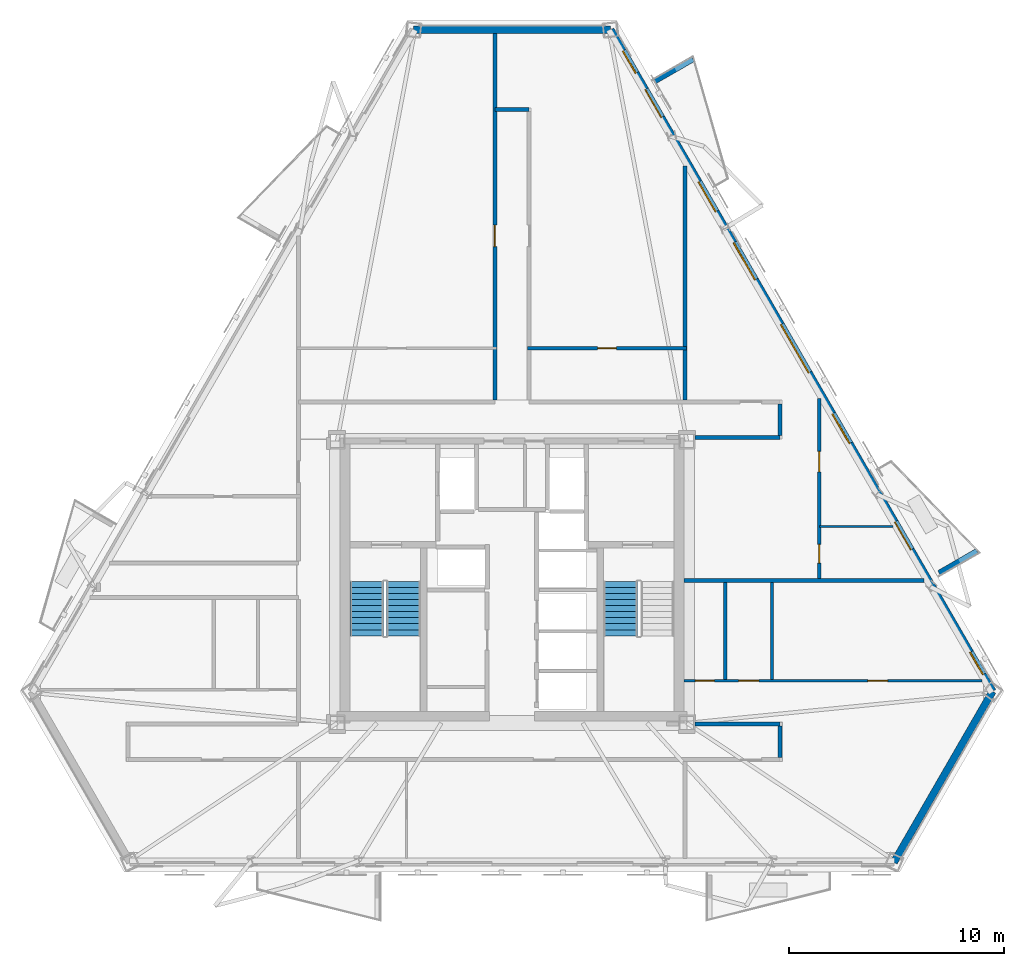
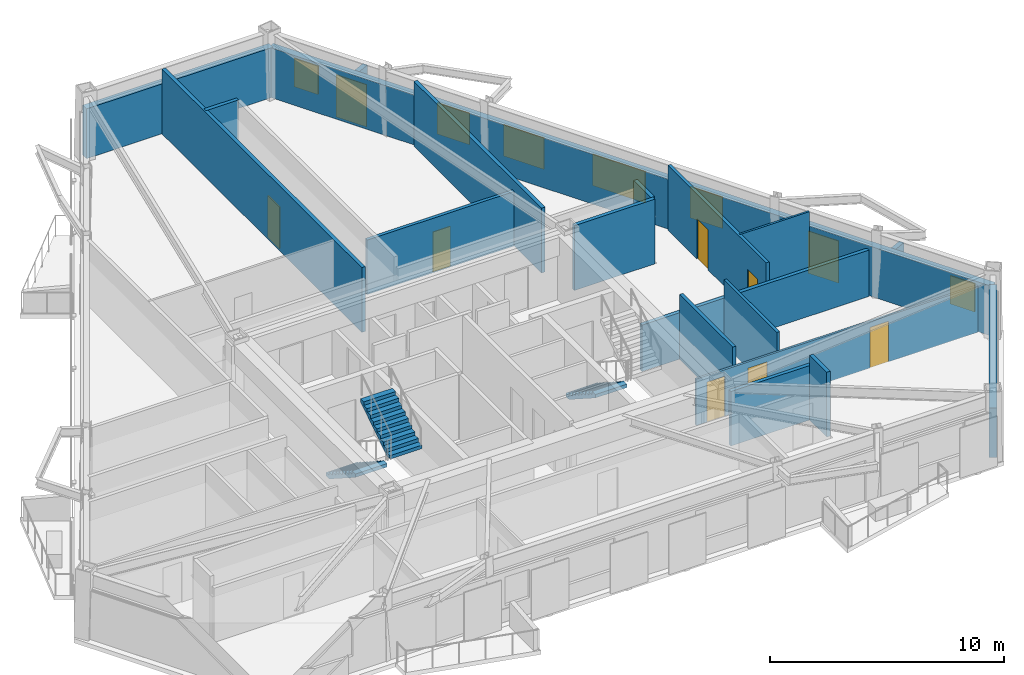
# One storey, part 5 of 9: 19 walls, 9 doors, 6 windows, 3 stair flights, 15 openings, 2 elements without a shape of their own.
"""IFC4 building model written with IfcOpenShell, lengths in metres."""

import ifcopenshell
import ifcopenshell.guid

model = None  # the IFC model being written
_history = None  # IfcOwnerHistory: only IFC2X3 demands one
_inside = {}  # id of a spatial element -> (the spatial element, [elements in it])
_under = {}  # id of a project, library or spatial element -> (it, [spatial elements below it])
_declared = {}  # id of a project -> (the project, [libraries it declares])
_typed = {}  # id of a type object -> (the type object, [elements of that type])
_made_of = {}  # id of a material, layer set ... -> (it, [elements and type objects made of it])


def new_model(schema):
    """Start an empty IFC model of exactly this schema.

    Asked for "IFC4X3", IfcOpenShell would pick the latest addendum, in which some entities
    have other attributes; the version numbers below select the first issue.
    IFC2X3 requires an IfcOwnerHistory on every rooted entity: one is made here for all.
    """
    global model, _history
    if schema == "IFC4X3":
        model = ifcopenshell.file(schema_version=(4, 3, 0, 0))
    else:
        model = ifcopenshell.file(schema=schema)
    _inside.clear()
    _under.clear()
    _declared.clear()
    _typed.clear()
    _made_of.clear()
    _history = None
    if model.schema == "IFC2X3":
        org = make("IfcOrganization", Name="unknown")
        user = make(
            "IfcPersonAndOrganization",
            ThePerson=make("IfcPerson", FamilyName="unknown"),
            TheOrganization=org,
        )
        app = make(
            "IfcApplication",
            ApplicationDeveloper=org,
            Version="unknown",
            ApplicationFullName="unknown",
            ApplicationIdentifier="unknown",
        )
        _history = make(
            "IfcOwnerHistory",
            OwningUser=user,
            OwningApplication=app,
            ChangeAction="ADDED",
            CreationDate=0,
        )
    return model


def make(cls, **values):
    """One entity of the class cls with the attributes given. An attribute that is None is left unset."""
    return model.create_entity(
        cls, **{name: value for name, value in values.items() if value is not None}
    )


def rooted(cls, **values):
    """An entity with a GlobalId (a new one), such as an element, a storey or a relation."""
    return make(cls, GlobalId=ifcopenshell.guid.new(), OwnerHistory=_history, **values)


def si_unit(unit_type, name, prefix=None):
    """IfcSIUnit, for example si_unit("LENGTHUNIT", "METRE", prefix="MILLI")."""
    return make("IfcSIUnit", UnitType=unit_type, Prefix=prefix, Name=name)


def assignment(units):
    """IfcUnitAssignment: the units of a project."""
    return None if units is None else make("IfcUnitAssignment", Units=units)


def point(xyz):
    """IfcCartesianPoint."""
    return None if xyz is None else make("IfcCartesianPoint", Coordinates=xyz)


def direction(xyz):
    """IfcDirection."""
    return None if xyz is None else make("IfcDirection", DirectionRatios=xyz)


def frame(location, z_axis=None, x_axis=None):
    """IfcAxis2Placement3D, a coordinate frame: its origin and axes. An axis left out is left unset."""
    return make(
        "IfcAxis2Placement3D",
        Location=point(location),
        Axis=direction(z_axis),
        RefDirection=direction(x_axis),
    )


def frame_2d(location, x_axis=None):
    """IfcAxis2Placement2D, a coordinate frame in the plane: its origin and x axis."""
    return make(
        "IfcAxis2Placement2D", Location=point(location), RefDirection=direction(x_axis)
    )


def origin():
    """The frame at (0, 0, 0) with its axes left unset."""
    return frame((0.0, 0.0, 0.0))


def place(relative_to, where):
    """IfcLocalPlacement: puts the frame where relative to a parent placement (None: the world)."""
    return make(
        "IfcLocalPlacement", PlacementRelTo=relative_to, RelativePlacement=where
    )


def context(
    kind, dimensions, precision=None, world=None, true_north=None, identifier=None
):
    """IfcGeometricRepresentationContext, for example the 3D "Model" context."""
    return make(
        "IfcGeometricRepresentationContext",
        ContextIdentifier=identifier,
        ContextType=kind,
        CoordinateSpaceDimension=dimensions,
        Precision=precision,
        WorldCoordinateSystem=world,
        TrueNorth=true_north,
    )


def subcontext(parent, identifier, kind, view, scale=None):
    """IfcGeometricRepresentationSubContext, for example "Body" below "Model"."""
    return make(
        "IfcGeometricRepresentationSubContext",
        ContextIdentifier=identifier,
        ContextType=kind,
        ParentContext=parent,
        TargetScale=scale,
        TargetView=view,
    )


def project(units=None, contexts=None):
    """IfcProject with its units and contexts."""
    return rooted(
        "IfcProject",
        Name="project",
        RepresentationContexts=contexts,
        UnitsInContext=assignment(units),
    )


def spatial(cls, under=None, at=None, **own):
    """A site, building, storey or space (cls), placed at a placement, below another one or the project."""
    s = rooted(cls, ObjectPlacement=at, **own)
    if under is not None:
        _under.setdefault(under.id(), (under, []))[1].append(s)
    return s


def polyline(points):
    """IfcPolyline through the points."""
    return make("IfcPolyline", Points=[point(p) for p in points])


def profile(cls, at=None, kind="AREA", **sizes):
    """A parametric profile (cls). Its sizes go by their IFC names, for example OverallWidth=200.0."""
    return make(cls, ProfileType=kind, Position=at, **sizes)


def rectangle(**sizes):
    """IfcRectangleProfileDef."""
    return profile("IfcRectangleProfileDef", **sizes)


def outline(outer, holes=None, kind="AREA"):
    """IfcArbitraryClosedProfileDef: a profile drawn as a closed curve; with holes, ...WithVoids."""
    if holes is None:
        return make("IfcArbitraryClosedProfileDef", ProfileType=kind, OuterCurve=outer)
    return make(
        "IfcArbitraryProfileDefWithVoids",
        ProfileType=kind,
        OuterCurve=outer,
        InnerCurves=holes,
    )


def extrude(swept, where, along, depth):
    """IfcExtrudedAreaSolid: the profile swept, set in the frame where, extruded along a direction by depth."""
    return make(
        "IfcExtrudedAreaSolid",
        SweptArea=swept,
        Position=where,
        ExtrudedDirection=direction(along),
        Depth=depth,
    )


def shape(context_of_items, identifier, shape_type, items):
    """IfcShapeRepresentation: the items that make up one representation, for example the "Body"."""
    return make(
        "IfcShapeRepresentation",
        ContextOfItems=context_of_items,
        RepresentationIdentifier=identifier,
        RepresentationType=shape_type,
        Items=items,
    )


def material(Name=None, Category=None):
    """IfcMaterial."""
    return make("IfcMaterial", Name=Name, Category=Category)


def layer(
    of_material, thickness, ventilated=None, Name=None, Category=None, Priority=None
):
    """IfcMaterialLayer: one layer of a wall or slab, of a material (None: an air gap)."""
    return make(
        "IfcMaterialLayer",
        Material=of_material,
        LayerThickness=thickness,
        IsVentilated=ventilated,
        Name=Name,
        Category=Category,
        Priority=Priority,
    )


def layer_set(layers, Name=None):
    """IfcMaterialLayerSet."""
    return make("IfcMaterialLayerSet", MaterialLayers=layers, LayerSetName=Name)


def made_of(thing, what):
    """Note that an element or type object is made of a material, layer set ...; save() writes the relation."""
    if what is not None:
        _made_of.setdefault(what.id(), (what, []))[1].append(thing)
    return thing


def type_object(cls, material=None, **own):
    """A type object (cls), such as IfcWallType, which elements share."""
    return made_of(rooted(cls, **own), material)


def element(
    cls,
    number,
    at=None,
    inside=None,
    cuts=None,
    type_object=None,
    material=None,
    context=None,
    identifier="Body",
    shape_type=None,
    held_by="IfcProductDefinitionShape",
    body=None,
    shapes=None,
    **own,
):
    """One element of the class cls, such as IfcWall. Its Tag is "e" and its number.

    at: its placement. inside: the storey or other place that contains it. cuts: it is an
    opening in that element (IfcRelVoidsElement). A single representation is given by context,
    identifier, shape_type and body (its items); several are given by shapes. held_by: the class
    of the entity that holds the representations. save() writes the other relations.
    """
    e = rooted(cls, Tag="e%d" % number, ObjectPlacement=at, **own)
    if body is not None:
        shapes = [shape(context, identifier, shape_type, body)]
    if shapes is not None:
        e.Representation = make(held_by, Representations=shapes)
    if inside is not None:
        _inside.setdefault(inside.id(), (inside, []))[1].append(e)
    if cuts is not None:
        rooted(
            "IfcRelVoidsElement", RelatingBuildingElement=cuts, RelatedOpeningElement=e
        )
    if type_object is not None:
        _typed.setdefault(type_object.id(), (type_object, []))[1].append(e)
    return made_of(e, material)


def fill(opening, filler):
    """IfcRelFillsElement: the door or window that sits in an opening."""
    return rooted(
        "IfcRelFillsElement",
        RelatingOpeningElement=opening,
        RelatedBuildingElement=filler,
    )


def aggregate(whole, parts):
    """IfcRelAggregates: a whole, such as a stair, and the parts it consists of."""
    return rooted("IfcRelAggregates", RelatingObject=whole, RelatedObjects=parts)


def save(model, path):
    """Write the relations noted so far, then the file.

    IfcRelAggregates (storeys below a building ...), IfcRelContainedInSpatialStructure (elements
    in a storey), IfcRelDefinesByType, IfcRelAssociatesMaterial and IfcRelDeclares: one each for
    every whole, place, type object, material and project.
    """
    for whole, parts in _under.values():
        aggregate(whole, parts)
    for where, things in _inside.values():
        rooted(
            "IfcRelContainedInSpatialStructure",
            RelatedElements=things,
            RelatingStructure=where,
        )
    for kind, things in _typed.values():
        rooted("IfcRelDefinesByType", RelatedObjects=things, RelatingType=kind)
    for what, things in _made_of.values():
        rooted("IfcRelAssociatesMaterial", RelatedObjects=things, RelatingMaterial=what)
    for by, libraries in _declared.values():
        rooted("IfcRelDeclares", RelatingContext=by, RelatedDefinitions=libraries)
    model.write(path)


model = new_model("IFC4")

# Units and contexts
model_context = context("Model", 3, precision=1e-05, world=origin(), true_north=direction((0.0, 1.0)))
body_context = subcontext(model_context, "Body", "Model", "MODEL_VIEW")
ifc_project = project(units=[si_unit("LENGTHUNIT", "METRE"), si_unit("AREAUNIT", "SQUARE_METRE"), si_unit("VOLUMEUNIT", "CUBIC_METRE"), si_unit("PLANEANGLEUNIT", "RADIAN"), si_unit("MASSUNIT", "GRAM", prefix="KILO")], contexts=[model_context])

# Site, building, storey
site_placement = place(None, origin())
site = spatial("IfcSite", under=ifc_project, at=site_placement, CompositionType="ELEMENT")
building_placement = place(site_placement, origin())
building = spatial("IfcBuilding", under=site, at=building_placement, Name="Oramaril Tower", CompositionType="ELEMENT")
storey_placement = place(building_placement, frame((0.0, 0.0, 156.60009765625)))
storey = spatial("IfcBuildingStorey", under=building, at=storey_placement, Name="L41", CompositionType="ELEMENT", Elevation=156.60009765625)

# Wall
ifc_material_1 = material(Name="Warm Cream Limestone", Category="masonry")
ifc_layer_1 = layer(ifc_material_1, 0.340087890625)
ifc_layer_set_1 = layer_set([ifc_layer_1], Name="WT-EXT34")
wall_type_1 = type_object("IfcWallType", Name="WT-EXT34", PredefinedType="SOLIDWALL", material=ifc_layer_set_1)
wall_1_placement = place(storey_placement, frame((55.30322265625, 4.5107421875, 0.0), z_axis=(0.0, 0.0, 1.0), x_axis=(0.500004288242, 0.866022927952, 0.0)))
element("IfcWall", 1, at=wall_1_placement, inside=storey, type_object=wall_type_1, Name="L41 Tower Limestone Facade Wall 3M", PredefinedType="SOLIDWALL", context=body_context, shape_type="SweptSolid", body=[
    extrude(rectangle(XDim=9.1982421875, YDim=0.340087890625, at=frame_2d((4.59912109375, 0.0))), origin(), (0.0, 0.0, 1.0), 2.599853515625),
])

# Wall, openings, doors, windows
wall_2_placement = place(storey_placement, frame((59.90234375, 12.4765625, 0.0), z_axis=(0.0, 0.0, 1.0), x_axis=(-0.499998839087, 0.866026074037, 0.0)))
wall_2 = element("IfcWall", 2, at=wall_2_placement, inside=storey, type_object=wall_type_1, Name="L41 Tower Limestone Facade Wall 4M", PredefinedType="SOLIDWALL", context=body_context, shape_type="SweptSolid", body=[
    extrude(rectangle(XDim=35.6064453125, YDim=0.340087890625, at=frame_2d((17.80322265625, 0.0))), origin(), (0.0, 0.0, 1.0), 2.599853515625),
])
opening_1_placement = place(wall_2_placement, frame((7.614501953125, 0.0, 0.0)))
opening_1 = element("IfcOpeningElement", 3, at=opening_1_placement, cuts=wall_2, Name="Opening D-L41-BAL-NE1", PredefinedType="OPENING", context=body_context, shape_type="SweptSolid", body=[
    extrude(rectangle(XDim=1.5, YDim=2.199951171875, at=frame_2d((0.75, 1.10009765625))), frame((0.0, 0.169921875, 0.0), z_axis=(0.0, -1.0, 0.0), x_axis=(1.0, 0.0, 0.0)), (0.0, 0.0, 1.0), 0.340087890625),
])
opening_2_placement = place(wall_2_placement, frame((30.886962890625, 0.0, 0.0)))
opening_2 = element("IfcOpeningElement", 4, at=opening_2_placement, cuts=wall_2, Name="Opening D-L41-BAL-NE2", PredefinedType="OPENING", context=body_context, shape_type="SweptSolid", body=[
    extrude(rectangle(XDim=1.5, YDim=2.199951171875, at=frame_2d((0.75, 1.10009765625))), frame((0.0, 0.169921875, 0.0), z_axis=(0.0, -1.0, 0.0), x_axis=(1.0, 0.0, 0.0)), (0.0, 0.0, 1.0), 0.340087890625),
])
opening_3_placement = place(wall_2_placement, frame((0.9033203125, 0.0, 0.85009765625)))
opening_3 = element("IfcOpeningElement", 5, at=opening_3_placement, cuts=wall_2, Name="Opening WN-09", PredefinedType="OPENING", context=body_context, shape_type="SweptSolid", body=[
    extrude(rectangle(XDim=1.199951171875, YDim=1.47998046875, at=frame_2d((0.60009765625, 0.739990234375))), frame((0.0, 0.169921875, 0.0), z_axis=(0.0, -1.0, 0.0), x_axis=(1.0, 0.0, 0.0)), (0.0, 0.0, 1.0), 0.340087890625),
])
opening_4_placement = place(wall_2_placement, frame((17.1435546875, 0.0, 0.85009765625)))
opening_4 = element("IfcOpeningElement", 6, at=opening_4_placement, cuts=wall_2, Name="Opening WN-02", PredefinedType="OPENING", context=body_context, shape_type="SweptSolid", body=[
    extrude(rectangle(XDim=2.60009765625, YDim=1.639892578125, at=frame_2d((1.300048828125, 0.81982421875))), frame((0.0, 0.169921875, 0.0), z_axis=(0.0, -1.0, 0.0), x_axis=(1.0, 0.0, 0.0)), (0.0, 0.0, 1.0), 0.340087890625),
])
opening_5_placement = place(wall_2_placement, frame((22.143798828125, 0.0, 0.85009765625)))
opening_5 = element("IfcOpeningElement", 7, at=opening_5_placement, cuts=wall_2, Name="Opening WN-05", PredefinedType="OPENING", context=body_context, shape_type="SweptSolid", body=[
    extrude(rectangle(XDim=2.0, YDim=1.639892578125, at=frame_2d((1.0, 0.81982421875))), frame((0.0, 0.169921875, 0.0), z_axis=(0.0, -1.0, 0.0), x_axis=(1.0, 0.0, 0.0)), (0.0, 0.0, 1.0), 0.340087890625),
])
opening_6_placement = place(wall_2_placement, frame((13.335205078125, 0.0, 0.85009765625)))
opening_6 = element("IfcOpeningElement", 8, at=opening_6_placement, cuts=wall_2, Name="Opening WN-07", PredefinedType="OPENING", context=body_context, shape_type="SweptSolid", body=[
    extrude(rectangle(XDim=1.60009765625, YDim=1.639892578125, at=frame_2d((0.800048828125, 0.81982421875))), frame((0.0, 0.169921875, 0.0), z_axis=(0.0, -1.0, 0.0), x_axis=(1.0, 0.0, 0.0)), (0.0, 0.0, 1.0), 0.340087890625),
])
opening_7_placement = place(wall_2_placement, frame((25.81298828125, 0.0, 0.85009765625)))
opening_7 = element("IfcOpeningElement", 9, at=opening_7_placement, cuts=wall_2, Name="Opening WN-07", PredefinedType="OPENING", context=body_context, shape_type="SweptSolid", body=[
    extrude(rectangle(XDim=1.60009765625, YDim=1.639892578125, at=frame_2d((0.800048828125, 0.81982421875))), frame((0.0, 0.169921875, 0.0), z_axis=(0.0, -1.0, 0.0), x_axis=(1.0, 0.0, 0.0)), (0.0, 0.0, 1.0), 0.340087890625),
])
opening_8_placement = place(wall_2_placement, frame((33.27197265625, 0.0, 0.85009765625)))
opening_8 = element("IfcOpeningElement", 10, at=opening_8_placement, cuts=wall_2, Name="Opening WN-09", PredefinedType="OPENING", context=body_context, shape_type="SweptSolid", body=[
    extrude(rectangle(XDim=1.199951171875, YDim=1.47998046875, at=frame_2d((0.60009765625, 0.739990234375))), frame((0.0, 0.169921875, 0.0), z_axis=(0.0, -1.0, 0.0), x_axis=(1.0, 0.0, 0.0)), (0.0, 0.0, 1.0), 0.340087890625),
])
ifc_material_2 = material(Name="Anodised Aluminium 6063-T6", Category="aluminium")
door_type_1 = type_object("IfcDoorType", Name="DT-BAL", OperationType="NOTDEFINED", PredefinedType="DOOR", material=ifc_material_2)
door_1_placement = place(opening_1_placement, origin())
door_1 = element("IfcDoor", 11, at=door_1_placement, inside=storey, type_object=door_type_1, Name="L41 Balcony Glazed Door L41-BAL-NE1", OperationType="SINGLE_SWING_RIGHT", OverallHeight=2.199951171875, OverallWidth=1.5, PredefinedType="DOOR", context=body_context, shape_type="SweptSolid", body=[
    extrude(rectangle(XDim=1.5, YDim=2.199951171875, at=frame_2d((0.75, 1.10009765625))), frame((0.0, 0.02490234375, 0.0), z_axis=(0.0, -1.0, 0.0), x_axis=(1.0, 0.0, 0.0)), (0.0, 0.0, 1.0), 0.050048828125),
])
fill(opening_1, door_1)
door_2_placement = place(opening_2_placement, origin())
door_2 = element("IfcDoor", 12, at=door_2_placement, inside=storey, type_object=door_type_1, Name="L41 Balcony Glazed Door L41-BAL-NE2", OperationType="SINGLE_SWING_LEFT", OverallHeight=2.199951171875, OverallWidth=1.5, PredefinedType="DOOR", context=body_context, shape_type="SweptSolid", body=[
    extrude(rectangle(XDim=1.5, YDim=2.199951171875, at=frame_2d((0.75, 1.10009765625))), frame((0.0, 0.02490234375, 0.0), z_axis=(0.0, -1.0, 0.0), x_axis=(1.0, 0.0, 0.0)), (0.0, 0.0, 1.0), 0.050048828125),
])
fill(opening_2, door_2)
ifc_material_3 = material(Name="Coastal Low-E Insulated Glass", Category="glass")
window_type_1 = type_object("IfcWindowType", Name="WNT-02", PartitioningType="SINGLE_PANEL", PredefinedType="WINDOW", material=ifc_material_3)
window_1_placement = place(opening_4_placement, origin())
window_1 = element("IfcWindow", 13, at=window_1_placement, inside=storey, type_object=window_type_1, Name="L41 Chicago Bay Window WN-02", OverallHeight=1.639892578125, OverallWidth=2.60009765625, PartitioningType="SINGLE_PANEL", PredefinedType="WINDOW", context=body_context, shape_type="SweptSolid", body=[
    extrude(rectangle(XDim=2.60009765625, YDim=1.639892578125, at=frame_2d((1.300048828125, 0.81982421875))), frame((0.0, 0.030029296875, 0.0), z_axis=(0.0, -1.0, 0.0), x_axis=(1.0, 0.0, 0.0)), (0.0, 0.0, 1.0), 0.06005859375),
])
fill(opening_4, window_1)
ifc_material_4 = material(Name="Coastal Low-E Insulated Glass", Category="glass")
window_type_2 = type_object("IfcWindowType", Name="WNT-05", PartitioningType="SINGLE_PANEL", PredefinedType="WINDOW", material=ifc_material_4)
window_2_placement = place(opening_5_placement, origin())
window_2 = element("IfcWindow", 14, at=window_2_placement, inside=storey, type_object=window_type_2, Name="L41 Chicago Bay Window WN-05", OverallHeight=1.639892578125, OverallWidth=2.0, PartitioningType="SINGLE_PANEL", PredefinedType="WINDOW", context=body_context, shape_type="SweptSolid", body=[
    extrude(rectangle(XDim=2.0, YDim=1.639892578125, at=frame_2d((1.0, 0.81982421875))), frame((0.0, 0.030029296875, 0.0), z_axis=(0.0, -1.0, 0.0), x_axis=(1.0, 0.0, 0.0)), (0.0, 0.0, 1.0), 0.06005859375),
])
fill(opening_5, window_2)
ifc_material_5 = material(Name="Coastal Low-E Insulated Glass", Category="glass")
window_type_3 = type_object("IfcWindowType", Name="WNT-07", PartitioningType="SINGLE_PANEL", PredefinedType="WINDOW", material=ifc_material_5)
window_3_placement = place(opening_6_placement, origin())
window_3 = element("IfcWindow", 15, at=window_3_placement, inside=storey, type_object=window_type_3, Name="L41 Chicago Bay Window WN-07", OverallHeight=1.639892578125, OverallWidth=1.60009765625, PartitioningType="SINGLE_PANEL", PredefinedType="WINDOW", context=body_context, shape_type="SweptSolid", body=[
    extrude(rectangle(XDim=1.60009765625, YDim=1.639892578125, at=frame_2d((0.800048828125, 0.81982421875))), frame((0.0, 0.030029296875, 0.0), z_axis=(0.0, -1.0, 0.0), x_axis=(1.0, 0.0, 0.0)), (0.0, 0.0, 1.0), 0.06005859375),
])
fill(opening_6, window_3)
window_4_placement = place(opening_7_placement, origin())
window_4 = element("IfcWindow", 16, at=window_4_placement, inside=storey, type_object=window_type_3, Name="L41 Chicago Bay Window WN-07", OverallHeight=1.639892578125, OverallWidth=1.60009765625, PartitioningType="SINGLE_PANEL", PredefinedType="WINDOW", context=body_context, shape_type="SweptSolid", body=[
    extrude(rectangle(XDim=1.60009765625, YDim=1.639892578125, at=frame_2d((0.800048828125, 0.81982421875))), frame((0.0, 0.030029296875, 0.0), z_axis=(0.0, -1.0, 0.0), x_axis=(1.0, 0.0, 0.0)), (0.0, 0.0, 1.0), 0.06005859375),
])
fill(opening_7, window_4)
ifc_material_6 = material(Name="Coastal Low-E Insulated Glass", Category="glass")
window_type_4 = type_object("IfcWindowType", Name="WNT-09", PartitioningType="SINGLE_PANEL", PredefinedType="WINDOW", material=ifc_material_6)
window_5_placement = place(opening_3_placement, origin())
window_5 = element("IfcWindow", 17, at=window_5_placement, inside=storey, type_object=window_type_4, Name="L41 Chicago Bay Window WN-09", OverallHeight=1.47998046875, OverallWidth=1.199951171875, PartitioningType="SINGLE_PANEL", PredefinedType="WINDOW", context=body_context, shape_type="SweptSolid", body=[
    extrude(rectangle(XDim=1.199951171875, YDim=1.47998046875, at=frame_2d((0.60009765625, 0.739990234375))), frame((0.0, 0.030029296875, 0.0), z_axis=(0.0, -1.0, 0.0), x_axis=(1.0, 0.0, 0.0)), (0.0, 0.0, 1.0), 0.06005859375),
])
fill(opening_3, window_5)
window_6_placement = place(opening_8_placement, origin())
window_6 = element("IfcWindow", 18, at=window_6_placement, inside=storey, type_object=window_type_4, Name="L41 Chicago Bay Window WN-09", OverallHeight=1.47998046875, OverallWidth=1.199951171875, PartitioningType="SINGLE_PANEL", PredefinedType="WINDOW", context=body_context, shape_type="SweptSolid", body=[
    extrude(rectangle(XDim=1.199951171875, YDim=1.47998046875, at=frame_2d((0.60009765625, 0.739990234375))), frame((0.0, 0.030029296875, 0.0), z_axis=(0.0, -1.0, 0.0), x_axis=(1.0, 0.0, 0.0)), (0.0, 0.0, 1.0), 0.06005859375),
])
fill(opening_8, window_6)

# Walls
wall_3_placement = place(storey_placement, frame((42.09912109375, 43.312744140625, 0.0), z_axis=(0.0, 0.0, 1.0), x_axis=(-1.0, 0.0, 0.0)))
element("IfcWall", 19, at=wall_3_placement, inside=storey, type_object=wall_type_1, Name="L41 Tower Limestone Facade Wall 5M", PredefinedType="SOLIDWALL", context=body_context, shape_type="SweptSolid", body=[
    extrude(rectangle(XDim=9.1982421875, YDim=0.340087890625, at=frame_2d((4.59912109375, 0.0))), origin(), (0.0, 0.0, 1.0), 2.599853515625),
])
ifc_material_7 = material(Name="Concrete C40/50", Category="concrete")
ifc_layer_2 = layer(ifc_material_7, 0.22998046875)
ifc_layer_set_2 = layer_set([ifc_layer_2], Name="WT-PRP23")
wall_type_2 = type_object("IfcWallType", Name="WT-PRP23", PredefinedType="PARAPET", material=ifc_layer_set_2)
for number, where, z_axis, x_axis, name in (
    (20, (57.400390625, 18.005859375, 0.0), (0.0, 0.0, 1.0), (0.866042246008, 0.499970827278, 0.0), "L41 Trapezoidal Balcony Frame Cheek L41-BAL-NE1-L"),
    (21, (44.17431640625, 40.91455078125, 0.0), (0.0, 0.0, 1.0), (0.866012356593, 0.500022597718, 0.0), "L41 Trapezoidal Balcony Frame Cheek L41-BAL-NE2-R"),
):
    element("IfcWall", number, at=place(storey_placement, frame(where, z_axis=z_axis, x_axis=x_axis)), inside=storey, type_object=wall_type_2, Name=name, PredefinedType="PARAPET", context=body_context, shape_type="SweptSolid", body=[
        extrude(outline(polyline([(0.0, 0.0), (2.0419921875, 0.0), (2.0419921875, 1.099853515625), (0.0, 1.31982421875), (0.0, 0.0)])), frame((0.0, 0.114990234375, 0.0), z_axis=(0.0, -1.0, 0.0), x_axis=(1.0, 0.0, 0.0)), (0.0, 0.0, 1.0), 0.22998046875),
    ])

# Wall, openings, doors
ifc_material_8 = material(Name="Acoustic Gypsum Board Partition")
ifc_layer_3 = layer(ifc_material_8, 0.10009765625)
ifc_layer_set_3 = layer_set([ifc_layer_3], Name="WT-PT10")
wall_type_3 = type_object("IfcWallType", Name="WT-PT10", PredefinedType="PARTITIONING", material=ifc_layer_set_3)
wall_4_placement = place(storey_placement, frame((45.513916015625, 12.969970703125, 0.0), z_axis=(0.0, 0.0, 1.0), x_axis=(1.0, 0.0, 0.0)))
wall_4 = element("IfcWall", 22, at=wall_4_placement, inside=storey, type_object=wall_type_3, Name="L41 Interior Partition PT-10", PredefinedType="PARTITIONING", context=body_context, shape_type="SweptSolid", body=[
    extrude(rectangle(XDim=13.902587890625, YDim=0.10009765625, at=frame_2d((6.951171875, 0.0))), origin(), (0.0, 0.0, 1.0), 2.419921875),
])
opening_9_placement = place(wall_4_placement, frame((0.535888671875, 0.0, 0.0)))
opening_9 = element("IfcOpeningElement", 23, at=opening_9_placement, cuts=wall_4, Name="Opening D-L41-07", PredefinedType="OPENING", context=body_context, shape_type="SweptSolid", body=[
    extrude(rectangle(XDim=0.8798828125, YDim=2.080078125, at=frame_2d((0.43994140625, 1.0400390625))), frame((0.0, 0.050048828125, 0.0), z_axis=(0.0, -1.0, 0.0), x_axis=(1.0, 0.0, 0.0)), (0.0, 0.0, 1.0), 0.10009765625),
])
opening_10_placement = place(wall_4_placement, frame((2.544677734375, 0.0, 0.0)))
opening_10 = element("IfcOpeningElement", 24, at=opening_10_placement, cuts=wall_4, Name="Opening D-L41-08", PredefinedType="OPENING", context=body_context, shape_type="SweptSolid", body=[
    extrude(rectangle(XDim=0.949951171875, YDim=2.10009765625, at=frame_2d((0.47509765625, 1.050048828125))), frame((0.0, 0.050048828125, 0.0), z_axis=(0.0, -1.0, 0.0), x_axis=(1.0, 0.0, 0.0)), (0.0, 0.0, 1.0), 0.10009765625),
])
opening_11_placement = place(wall_4_placement, frame((8.57080078125, 0.0, 0.0)))
opening_11 = element("IfcOpeningElement", 25, at=opening_11_placement, cuts=wall_4, Name="Opening D-L41-09", PredefinedType="OPENING", context=body_context, shape_type="SweptSolid", body=[
    extrude(rectangle(XDim=0.919921875, YDim=2.1201171875, at=frame_2d((0.4599609375, 1.06005859375))), frame((0.0, 0.050048828125, 0.0), z_axis=(0.0, -1.0, 0.0), x_axis=(1.0, 0.0, 0.0)), (0.0, 0.0, 1.0), 0.10009765625),
])
ifc_material_9 = material(Name="FSC Brazilian Freijo Hardwood", Category="wood")
door_type_2 = type_object("IfcDoorType", Name="DT-BATH", OperationType="NOTDEFINED", PredefinedType="DOOR", material=ifc_material_9)
door_3_placement = place(opening_9_placement, origin())
door_3 = element("IfcDoor", 26, at=door_3_placement, inside=storey, type_object=door_type_2, Name="L41 Flat L41-U4 Bathroom Door D-L41-07", OperationType="SINGLE_SWING_RIGHT", OverallHeight=2.080078125, OverallWidth=0.8798828125, PredefinedType="DOOR", context=body_context, shape_type="SweptSolid", body=[
    extrude(rectangle(XDim=0.8798828125, YDim=2.080078125, at=frame_2d((0.43994140625, 1.0400390625))), frame((0.0, 0.02490234375, 0.0), z_axis=(0.0, -1.0, 0.0), x_axis=(1.0, 0.0, 0.0)), (0.0, 0.0, 1.0), 0.050048828125),
])
fill(opening_9, door_3)
ifc_material_10 = material(Name="FSC Brazilian Freijo Hardwood", Category="wood")
door_type_3 = type_object("IfcDoorType", Name="DT-BED", OperationType="NOTDEFINED", PredefinedType="DOOR", material=ifc_material_10)
door_4_placement = place(opening_11_placement, origin())
door_4 = element("IfcDoor", 27, at=door_4_placement, inside=storey, type_object=door_type_3, Name="L41 Flat L41-U4 Master Bedroom Door D-L41-09", OperationType="SINGLE_SWING_RIGHT", OverallHeight=2.1201171875, OverallWidth=0.919921875, PredefinedType="DOOR", context=body_context, shape_type="SweptSolid", body=[
    extrude(rectangle(XDim=0.919921875, YDim=2.1201171875, at=frame_2d((0.4599609375, 1.06005859375))), frame((0.0, 0.02490234375, 0.0), z_axis=(0.0, -1.0, 0.0), x_axis=(1.0, 0.0, 0.0)), (0.0, 0.0, 1.0), 0.050048828125),
])
fill(opening_11, door_4)
ifc_material_11 = material(Name="FSC Brazilian Freijo Hardwood", Category="wood")
door_type_4 = type_object("IfcDoorType", Name="DT-STDY", OperationType="NOTDEFINED", PredefinedType="DOOR", material=ifc_material_11)
door_5_placement = place(opening_10_placement, origin())
door_5 = element("IfcDoor", 28, at=door_5_placement, inside=storey, type_object=door_type_4, Name="L41 Flat L41-U4 Kitchen Door D-L41-08", OperationType="SINGLE_SWING_LEFT", OverallHeight=2.10009765625, OverallWidth=0.949951171875, PredefinedType="DOOR", context=body_context, shape_type="SweptSolid", body=[
    extrude(rectangle(XDim=0.949951171875, YDim=2.10009765625, at=frame_2d((0.47509765625, 1.050048828125))), frame((0.0, 0.02490234375, 0.0), z_axis=(0.0, -1.0, 0.0), x_axis=(1.0, 0.0, 0.0)), (0.0, 0.0, 1.0), 0.050048828125),
])
fill(opening_10, door_5)

# Walls
wall_5_placement = place(storey_placement, frame((51.822021484375, 20.169921875, 0.0), z_axis=(0.0, 0.0, 1.0), x_axis=(1.0, 0.0, 0.0)))
element("IfcWall", 29, at=wall_5_placement, inside=storey, type_object=wall_type_3, Name="L41 Interior Partition PT-10", PredefinedType="PARTITIONING", context=body_context, shape_type="SweptSolid", body=[
    extrude(rectangle(XDim=3.4375, YDim=0.10009765625, at=frame_2d((1.71875, 0.0))), origin(), (0.0, 0.0, 1.0), 3.3798828125),
])
ifc_material_12 = material(Name="Acoustic Gypsum Board Partition")
ifc_layer_4 = layer(ifc_material_12, 0.139892578125)
ifc_layer_set_4 = layer_set([ifc_layer_4], Name="WT-PT14")
wall_type_4 = type_object("IfcWallType", Name="WT-PT14", PredefinedType="PARTITIONING", material=ifc_layer_set_4)
wall_6_placement = place(storey_placement, frame((49.6201171875, 13.02392578125, 0.0), z_axis=(0.0, 0.0, 1.0), x_axis=(0.0, 1.0, 0.0)))
element("IfcWall", 30, at=wall_6_placement, inside=storey, type_object=wall_type_4, Name="L41 Interior Partition PT-14", PredefinedType="PARTITIONING", context=body_context, shape_type="SweptSolid", body=[
    extrude(rectangle(XDim=4.531982421875, YDim=0.139892578125, at=frame_2d((2.26611328125, 0.0))), origin(), (0.0, 0.0, 1.0), 3.3798828125),
])

# Wall, opening, door
ifc_material_13 = material(Name="Acoustic Gypsum Board Partition")
ifc_layer_5 = layer(ifc_material_13, 0.159912109375)
ifc_layer_set_5 = layer_set([ifc_layer_5], Name="WT-PT16")
wall_type_5 = type_object("IfcWallType", Name="WT-PT16", PredefinedType="PARTITIONING", material=ifc_layer_set_5)
wall_7_placement = place(storey_placement, frame((38.218017578125, 28.469970703125, 0.0), z_axis=(0.0, 0.0, 1.0), x_axis=(1.0, 0.0, 0.0)))
wall_7 = element("IfcWall", 31, at=wall_7_placement, inside=storey, type_object=wall_type_5, Name="L41 Interior Partition PT-16", PredefinedType="PARTITIONING", context=body_context, shape_type="SweptSolid", body=[
    extrude(rectangle(XDim=7.424072265625, YDim=0.159912109375, at=frame_2d((3.7119140625, 0.0))), origin(), (0.0, 0.0, 1.0), 2.841796875),
])
opening_12_placement = place(wall_7_placement, frame((3.27197265625, 0.0, 0.0)))
opening_12 = element("IfcOpeningElement", 32, at=opening_12_placement, cuts=wall_7, Name="Opening D-L41-13", PredefinedType="OPENING", context=body_context, shape_type="SweptSolid", body=[
    extrude(rectangle(XDim=0.8798828125, YDim=2.080078125, at=frame_2d((0.43994140625, 1.0400390625))), frame((0.0, 0.080078125, 0.0), z_axis=(0.0, -1.0, 0.0), x_axis=(1.0, 0.0, 0.0)), (0.0, 0.0, 1.0), 0.159912109375),
])
door_6_placement = place(opening_12_placement, origin())
door_6 = element("IfcDoor", 33, at=door_6_placement, inside=storey, type_object=door_type_2, Name="L41 Flat L41-U7 Bathroom Door D-L41-13", OperationType="SINGLE_SWING_RIGHT", OverallHeight=2.080078125, OverallWidth=0.8798828125, PredefinedType="DOOR", context=body_context, shape_type="SweptSolid", body=[
    extrude(rectangle(XDim=0.8798828125, YDim=2.080078125, at=frame_2d((0.43994140625, 1.0400390625))), frame((0.0, 0.02490234375, 0.0), z_axis=(0.0, -1.0, 0.0), x_axis=(1.0, 0.0, 0.0)), (0.0, 0.0, 1.0), 0.050048828125),
])
fill(opening_12, door_6)

# Wall
wall_8_placement = place(storey_placement, frame((47.449951171875, 13.02392578125, 0.0), z_axis=(0.0, 0.0, 1.0), x_axis=(0.0, 1.0, 0.0)))
element("IfcWall", 34, at=wall_8_placement, inside=storey, type_object=wall_type_5, Name="L41 Interior Partition PT-16", PredefinedType="PARTITIONING", context=body_context, shape_type="SweptSolid", body=[
    extrude(rectangle(XDim=4.531982421875, YDim=0.159912109375, at=frame_2d((2.26611328125, 0.0))), origin(), (0.0, 0.0, 1.0), 3.3798828125),
])

# Wall, openings, doors
wall_9_placement = place(storey_placement, frame((51.820068359375, 17.743896484375, 0.0), z_axis=(0.0, 0.0, 1.0), x_axis=(0.0, 1.0, 0.0)))
wall_9 = element("IfcWall", 35, at=wall_9_placement, inside=storey, type_object=wall_type_5, Name="L41 Interior Partition PT-16", PredefinedType="PARTITIONING", context=body_context, shape_type="SweptSolid", body=[
    extrude(rectangle(XDim=8.3837890625, YDim=0.159912109375, at=frame_2d((4.19189453125, 0.0))), origin(), (0.0, 0.0, 1.0), 3.3798828125),
])
opening_13_placement = place(wall_9_placement, frame((0.7109375, 0.0, 0.0)))
opening_13 = element("IfcOpeningElement", 36, at=opening_13_placement, cuts=wall_9, Name="Opening D-L41-18", PredefinedType="OPENING", context=body_context, shape_type="SweptSolid", body=[
    extrude(rectangle(XDim=0.8798828125, YDim=2.080078125, at=frame_2d((0.43994140625, 1.0400390625))), frame((0.0, 0.080078125, 0.0), z_axis=(0.0, -1.0, 0.0), x_axis=(1.0, 0.0, 0.0)), (0.0, 0.0, 1.0), 0.159912109375),
])
opening_14_placement = place(wall_9_placement, frame((4.967041015625, 0.0, 0.0)))
opening_14 = element("IfcOpeningElement", 37, at=opening_14_placement, cuts=wall_9, Name="Opening D-L41-19", PredefinedType="OPENING", context=body_context, shape_type="SweptSolid", body=[
    extrude(rectangle(XDim=0.949951171875, YDim=2.10009765625, at=frame_2d((0.47509765625, 1.050048828125))), frame((0.0, 0.080078125, 0.0), z_axis=(0.0, -1.0, 0.0), x_axis=(1.0, 0.0, 0.0)), (0.0, 0.0, 1.0), 0.159912109375),
])
door_7_placement = place(opening_13_placement, origin())
door_7 = element("IfcDoor", 38, at=door_7_placement, inside=storey, type_object=door_type_2, Name="L41 Flat L41-U5 Bathroom Door D-L41-18", OperationType="SINGLE_SWING_LEFT", OverallHeight=2.080078125, OverallWidth=0.8798828125, PredefinedType="DOOR", context=body_context, shape_type="SweptSolid", body=[
    extrude(rectangle(XDim=0.8798828125, YDim=2.080078125, at=frame_2d((0.43994140625, 1.0400390625))), frame((0.0, 0.02490234375, 0.0), z_axis=(0.0, -1.0, 0.0), x_axis=(1.0, 0.0, 0.0)), (0.0, 0.0, 1.0), 0.050048828125),
])
fill(opening_13, door_7)
door_8_placement = place(opening_14_placement, origin())
door_8 = element("IfcDoor", 39, at=door_8_placement, inside=storey, type_object=door_type_4, Name="L41 Flat L41-U5 Kitchen Door D-L41-19", OperationType="SINGLE_SWING_RIGHT", OverallHeight=2.10009765625, OverallWidth=0.949951171875, PredefinedType="DOOR", context=body_context, shape_type="SweptSolid", body=[
    extrude(rectangle(XDim=0.949951171875, YDim=2.10009765625, at=frame_2d((0.47509765625, 1.050048828125))), frame((0.0, 0.02490234375, 0.0), z_axis=(0.0, -1.0, 0.0), x_axis=(1.0, 0.0, 0.0)), (0.0, 0.0, 1.0), 0.050048828125),
])
fill(opening_14, door_8)

# Walls
ifc_material_14 = material(Name="Autoclaved Cellular Concrete Block", Category="concrete")
ifc_layer_6 = layer(ifc_material_14, 0.179931640625)
ifc_layer_set_6 = layer_set([ifc_layer_6], Name="WT-PT18")
wall_type_6 = type_object("IfcWallType", Name="WT-PT18", PredefinedType="PARTITIONING", material=ifc_layer_set_6)
wall_10_placement = place(storey_placement, frame((46.0400390625, 10.949951171875, 0.0), z_axis=(0.0, 0.0, 1.0), x_axis=(1.0, 0.0, 0.0)))
element("IfcWall", 40, at=wall_10_placement, inside=storey, type_object=wall_type_6, Name="L41 Interior Partition PT-18", PredefinedType="PARTITIONING", context=body_context, shape_type="SweptSolid", body=[
    extrude(rectangle(XDim=3.9599609375, YDim=0.179931640625, at=frame_2d((1.97998046875, 0.0))), origin(), (0.0, 0.0, 1.0), 2.841796875),
])
wall_11_placement = place(storey_placement, frame((45.513916015625, 17.64990234375, 0.0), z_axis=(0.0, 0.0, 1.0), x_axis=(1.0, 0.0, 0.0)))
element("IfcWall", 41, at=wall_11_placement, inside=storey, type_object=wall_type_6, Name="L41 Interior Partition PT-18", PredefinedType="PARTITIONING", context=body_context, shape_type="SweptSolid", body=[
    extrude(rectangle(XDim=11.20068359375, YDim=0.179931640625, at=frame_2d((5.600341796875, 0.0))), origin(), (0.0, 0.0, 1.0), 2.419921875),
])
wall_12_placement = place(storey_placement, frame((46.0400390625, 24.320068359375, 0.0), z_axis=(0.0, 0.0, 1.0), x_axis=(1.0, 0.0, 0.0)))
element("IfcWall", 42, at=wall_12_placement, inside=storey, type_object=wall_type_6, Name="L41 Interior Partition PT-18", PredefinedType="PARTITIONING", context=body_context, shape_type="SweptSolid", body=[
    extrude(rectangle(XDim=3.9599609375, YDim=0.179931640625, at=frame_2d((1.97998046875, 0.0))), origin(), (0.0, 0.0, 1.0), 3.3798828125),
])
wall_13_placement = place(storey_placement, frame((36.699951171875, 39.60009765625, 0.0), z_axis=(0.0, 0.0, 1.0), x_axis=(1.0, 0.0, 0.0)))
element("IfcWall", 43, at=wall_13_placement, inside=storey, type_object=wall_type_6, Name="L41 Interior Partition PT-18", PredefinedType="PARTITIONING", context=body_context, shape_type="SweptSolid", body=[
    extrude(rectangle(XDim=1.60009765625, YDim=0.179931640625, at=frame_2d((0.800048828125, 0.0))), origin(), (0.0, 0.0, 1.0), 3.3798828125),
])

# Wall, opening, door
wall_14_placement = place(storey_placement, frame((36.699951171875, 26.06396484375, 0.0), z_axis=(0.0, 0.0, 1.0), x_axis=(0.0, 1.0, 0.0)))
wall_14 = element("IfcWall", 44, at=wall_14_placement, inside=storey, type_object=wall_type_6, Name="L41 Interior Partition PT-18", PredefinedType="PARTITIONING", context=body_context, shape_type="SweptSolid", body=[
    extrude(rectangle(XDim=17.07470703125, YDim=0.179931640625, at=frame_2d((8.537353515625, 0.0))), origin(), (0.0, 0.0, 1.0), 3.3798828125),
])
opening_15_placement = place(wall_14_placement, frame((7.147705078125, 0.0, 0.0)))
opening_15 = element("IfcOpeningElement", 45, at=opening_15_placement, cuts=wall_14, Name="Opening D-L41-16", PredefinedType="OPENING", context=body_context, shape_type="SweptSolid", body=[
    extrude(rectangle(XDim=1.0, YDim=2.179931640625, at=frame_2d((0.5, 1.08984375))), frame((0.0, 0.08984375, 0.0), z_axis=(0.0, -1.0, 0.0), x_axis=(1.0, 0.0, 0.0)), (0.0, 0.0, 1.0), 0.179931640625),
])
ifc_material_15 = material(Name="FSC Brazilian Freijo Hardwood", Category="wood")
door_type_5 = type_object("IfcDoorType", Name="DT-APT", OperationType="NOTDEFINED", PredefinedType="DOOR", material=ifc_material_15)
door_9_placement = place(opening_15_placement, origin())
door_9 = element("IfcDoor", 46, at=door_9_placement, inside=storey, type_object=door_type_5, Name="L41 Flat L41-U6 Kitchen and Studio Apartment Door D-L41-16", OperationType="SINGLE_SWING_LEFT", OverallHeight=2.179931640625, OverallWidth=1.0, PredefinedType="DOOR", context=body_context, shape_type="SweptSolid", body=[
    extrude(rectangle(XDim=1.0, YDim=2.179931640625, at=frame_2d((0.5, 1.08984375))), frame((0.0, 0.02490234375, 0.0), z_axis=(0.0, -1.0, 0.0), x_axis=(1.0, 0.0, 0.0)), (0.0, 0.0, 1.0), 0.050048828125),
])
fill(opening_15, door_9)

# Walls
wall_15_placement = place(storey_placement, frame((45.56005859375, 26.06396484375, 0.0), z_axis=(0.0, 0.0, 1.0), x_axis=(0.0, 1.0, 0.0)))
element("IfcWall", 47, at=wall_15_placement, inside=storey, type_object=wall_type_6, Name="L41 Interior Partition PT-18", PredefinedType="PARTITIONING", context=body_context, shape_type="SweptSolid", body=[
    extrude(rectangle(XDim=10.90625, YDim=0.179931640625, at=frame_2d((5.453125, 0.0))), origin(), (0.0, 0.0, 1.0), 3.3798828125),
])
for number, where, z_axis, x_axis, name in (
    (48, (50.0, 9.39404296875, 0.0), (0.0, 0.0, 1.0), (0.0, 1.0, 0.0), "L41 Interior Partition PT-18"),
    (49, (50.0, 24.4140625, 0.0), (0.0, 0.0, 1.0), (0.0, 1.0, 0.0), "L41 Interior Partition PT-18"),
):
    element("IfcWall", number, at=place(storey_placement, frame(where, z_axis=z_axis, x_axis=x_axis)), inside=storey, type_object=wall_type_6, Name=name, PredefinedType="PARTITIONING", context=body_context, shape_type="SweptSolid", body=[
        extrude(rectangle(XDim=1.4619140625, YDim=0.179931640625, at=frame_2d((0.73095703125, 0.0))), origin(), (0.0, 0.0, 1.0), 3.3798828125),
    ])

# Stair, stair flights
ifc_material_16 = material(Name="Concrete C50/60", Category="concrete")
stair_type = type_object("IfcStairType", Name="STT-DG-3600", PredefinedType="HALF_TURN_STAIR", material=ifc_material_16)
stair_1_placement = place(storey_placement, origin())
stair_1 = element("IfcStair", 50, at=stair_1_placement, inside=storey, type_object=stair_type, Name="L41 Protected PFP Exit Stair ST-1", PredefinedType="HALF_TURN_STAIR")
ifc_material_17 = material(Name="Concrete C50/60", Category="concrete")
stair_flight_type = type_object("IfcStairFlightType", Name="SFT-DG-3600", PredefinedType="STRAIGHT", material=ifc_material_17)
stair_flight_1_placement = place(storey_placement, frame((30.72998046875, 17.590087890625, 0.0), z_axis=(0.0, 0.0, 1.0), x_axis=(0.0, -1.0, 0.0)))
stair_flight_1 = element("IfcStairFlight", 51, at=stair_flight_1_placement, type_object=stair_flight_type, Name="ST-1 flight 1", NumberOfRisers=10, NumberOfTreads=9, PredefinedType="STRAIGHT", RiserHeight=0.18, TreadLength=0.28, context=body_context, shape_type="SweptSolid", body=[
    extrude(outline(polyline([(0.0, 0.0), (0.0, 0.179931640625), (0.280029296875, 0.179931640625), (0.280029296875, 0.360107421875), (0.56005859375, 0.360107421875), (0.56005859375, 0.5400390625), (0.840087890625, 0.5400390625), (0.840087890625, 0.719970703125), (1.1201171875, 0.719970703125), (1.1201171875, 0.89990234375), (1.39990234375, 0.89990234375), (1.39990234375, 1.080078125), (1.679931640625, 1.080078125), (1.679931640625, 1.260009765625), (1.9599609375, 1.260009765625), (1.9599609375, 1.43994140625), (2.239990234375, 1.43994140625), (2.239990234375, 1.6201171875), (2.52001953125, 1.6201171875), (2.52001953125, 1.800048828125), (2.52001953125, 1.44189453125), (0.277099609375, 0.0), (0.0, 0.0)])), frame((0.0, 0.780029296875, 0.0), z_axis=(0.0, -1.0, 0.0), x_axis=(1.0, 0.0, 0.0)), (0.0, 0.0, 1.0), 1.56005859375),
])
stair_flight_2_placement = place(storey_placement, frame((32.43994140625, 15.070068359375, 1.7998046875), z_axis=(0.0, 0.0, 1.0), x_axis=(0.0, 1.0, 0.0)))
stair_flight_2 = element("IfcStairFlight", 52, at=stair_flight_2_placement, type_object=stair_flight_type, Name="ST-1 flight 2", NumberOfRisers=10, NumberOfTreads=9, PredefinedType="STRAIGHT", RiserHeight=0.18, TreadLength=0.28, context=body_context, shape_type="SweptSolid", body=[
    extrude(outline(polyline([(0.0, 0.0), (0.0, 0.179931640625), (0.280029296875, 0.179931640625), (0.280029296875, 0.360107421875), (0.56005859375, 0.360107421875), (0.56005859375, 0.5400390625), (0.840087890625, 0.5400390625), (0.840087890625, 0.719970703125), (1.1201171875, 0.719970703125), (1.1201171875, 0.89990234375), (1.39990234375, 0.89990234375), (1.39990234375, 1.080078125), (1.679931640625, 1.080078125), (1.679931640625, 1.260009765625), (1.9599609375, 1.260009765625), (1.9599609375, 1.43994140625), (2.239990234375, 1.43994140625), (2.239990234375, 1.6201171875), (2.52001953125, 1.6201171875), (2.52001953125, 1.800048828125), (2.52001953125, 1.44189453125), (0.277099609375, 0.0), (0.0, 0.0)])), frame((0.0, 0.780029296875, 0.0), z_axis=(0.0, -1.0, 0.0), x_axis=(1.0, 0.0, 0.0)), (0.0, 0.0, 1.0), 1.56005859375),
])
aggregate(stair_1, [stair_flight_1, stair_flight_2])

# Stair, stair flight
stair_2_placement = place(storey_placement, origin())
stair_2 = element("IfcStair", 53, at=stair_2_placement, inside=storey, type_object=stair_type, Name="L41 Protected PFP Exit Stair ST-2", PredefinedType="HALF_TURN_STAIR")
stair_flight_3_placement = place(storey_placement, frame((42.56005859375, 17.590087890625, 0.0), z_axis=(0.0, 0.0, 1.0), x_axis=(0.0, -1.0, 0.0)))
stair_flight_3 = element("IfcStairFlight", 54, at=stair_flight_3_placement, type_object=stair_flight_type, Name="ST-2 flight 1", NumberOfRisers=10, NumberOfTreads=9, PredefinedType="STRAIGHT", RiserHeight=0.18, TreadLength=0.28, context=body_context, shape_type="SweptSolid", body=[
    extrude(outline(polyline([(0.0, 0.0), (0.0, 0.179931640625), (0.280029296875, 0.179931640625), (0.280029296875, 0.360107421875), (0.56005859375, 0.360107421875), (0.56005859375, 0.5400390625), (0.840087890625, 0.5400390625), (0.840087890625, 0.719970703125), (1.1201171875, 0.719970703125), (1.1201171875, 0.89990234375), (1.39990234375, 0.89990234375), (1.39990234375, 1.080078125), (1.679931640625, 1.080078125), (1.679931640625, 1.260009765625), (1.9599609375, 1.260009765625), (1.9599609375, 1.43994140625), (2.239990234375, 1.43994140625), (2.239990234375, 1.6201171875), (2.52001953125, 1.6201171875), (2.52001953125, 1.800048828125), (2.52001953125, 1.44189453125), (0.277099609375, 0.0), (0.0, 0.0)])), frame((0.0, 0.780029296875, 0.0), z_axis=(0.0, -1.0, 0.0), x_axis=(1.0, 0.0, 0.0)), (0.0, 0.0, 1.0), 1.56005859375),
])
aggregate(stair_2, [stair_flight_3])

save(model, "model.ifc")
